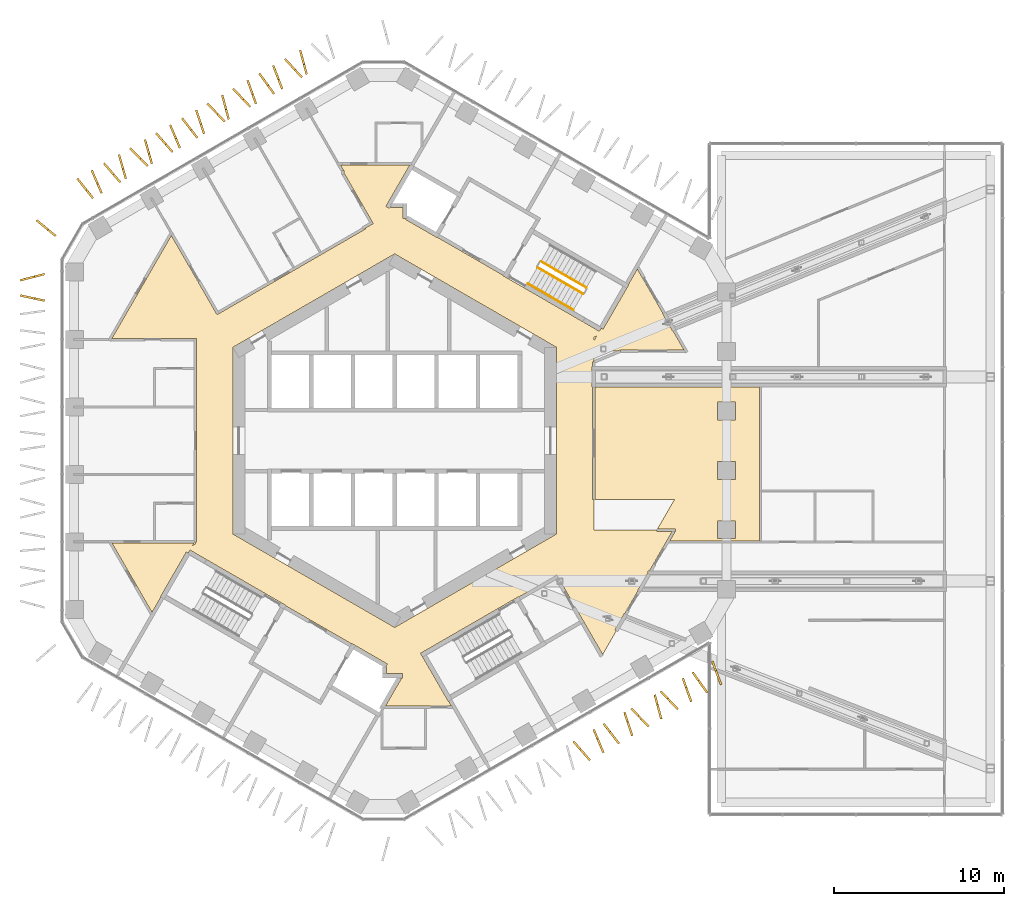
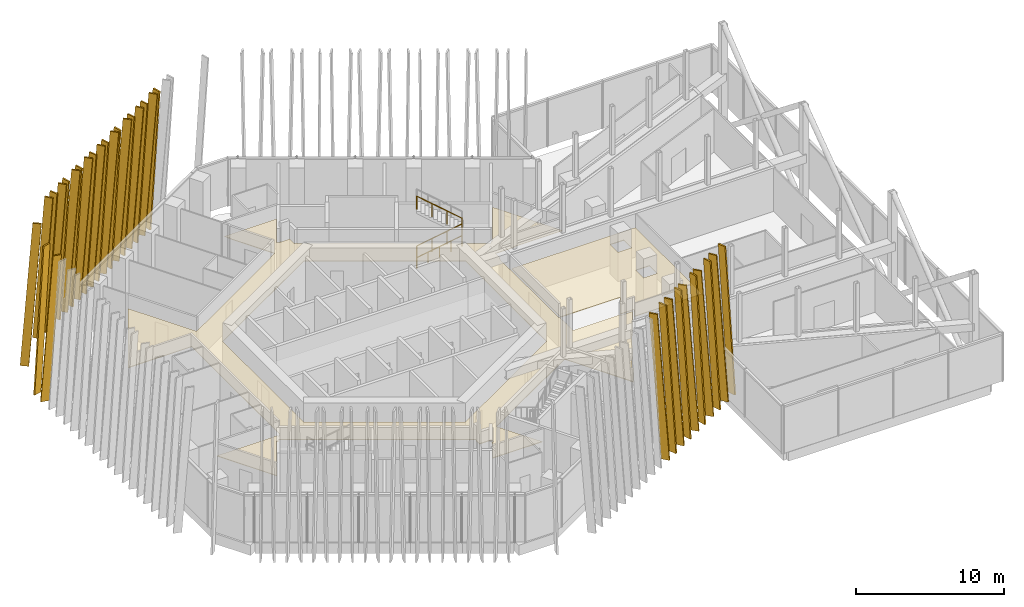
# One storey, part 27 of 28: 31 shading devices, 4 railings, 2 coverings.
"""IFC4 building model written with IfcOpenShell, lengths in metres."""

from ifc_helpers import new_model, si_unit, direction, frame, origin, origin_2d, place, context, subcontext, project, spatial, polyline, circle, outline, extrude, material, layer, layer_set, type_object, element, save


model = new_model("IFC4")

# Units and contexts
model_context = context("Model", 3, precision=1e-05, world=origin(), true_north=direction((0.0, 1.0)))
body_context = subcontext(model_context, "Body", "Model", "MODEL_VIEW")
ifc_project = project(units=[si_unit("LENGTHUNIT", "METRE"), si_unit("AREAUNIT", "SQUARE_METRE"), si_unit("VOLUMEUNIT", "CUBIC_METRE"), si_unit("PLANEANGLEUNIT", "RADIAN"), si_unit("MASSUNIT", "GRAM", prefix="KILO")], contexts=[model_context])

# Site, building, storey
site_placement = place(None, origin())
site = spatial("IfcSite", under=ifc_project, at=site_placement, CompositionType="ELEMENT")
building_placement = place(site_placement, origin())
building = spatial("IfcBuilding", under=site, at=building_placement, Name="Ayvan Gate Tower", CompositionType="ELEMENT")
storey_placement = place(building_placement, frame((0.0, 0.0, 120.5)))
storey = spatial("IfcBuildingStorey", under=building, at=storey_placement, Name="L32", CompositionType="ELEMENT", Elevation=120.5)

# Shading devices
ifc_material_1 = material(Name="Bronze anodised aluminium", Category="aluminium")
ifc_layer_1 = layer(ifc_material_1, 0.1201171875)
ifc_layer_set_1 = layer_set([ifc_layer_1], Name="Bronze anodised aluminium")
shading_device_type = type_object("IfcShadingDeviceType", Name="Bronze fin 600 x 120", PredefinedType="USERDEFINED", material=ifc_layer_set_1)
shading_device_1_placement = place(storey_placement, frame((-5.337158203125, 22.374755859375, 0.0), z_axis=(0.964726243231, 0.263255115719, 0.000140244322), x_axis=(-0.263255118308, 0.964726252719, 0.0)))
element("IfcShadingDevice", 1, at=shading_device_1_placement, inside=storey, type_object=shading_device_type, Name="Bronze fin FG11.8.96", ObjectType="FIN", PredefinedType="USERDEFINED", context=body_context, shape_type="SweptSolid", body=[
    extrude(outline(polyline([(0.0, 0.0), (0.6000224625833214, -3.3881317890172014e-21), (-0.2713395896620987, 11.879882929329561), (-0.8713620522454201, 11.879882929329561), (0.0, 0.0)])), origin(), (0.0, 0.0, -1.0), 0.1201171875),
])
shading_device_2_placement = place(storey_placement, frame((-5.996337890625, 22.023681640625, 0.0), z_axis=(0.735801214572, 0.677197578013, 0.000113877916), x_axis=(-0.677197582404, 0.735801219343, 0.0)))
element("IfcShadingDevice", 2, at=shading_device_2_placement, inside=storey, type_object=shading_device_type, Name="Bronze fin FG11.8.97", ObjectType="FIN", PredefinedType="USERDEFINED", context=body_context, shape_type="SweptSolid", body=[
    extrude(outline(polyline([(0.0, 0.0), (0.5998987748271057, 6.776263578034403e-21), (-0.2714964823047561, 11.87988288953023), (-0.8713952571318619, 11.87988288953023), (0.0, 0.0)])), origin(), (0.0, 0.0, -1.0), 0.1201171875),
])
shading_device_3_placement = place(storey_placement, frame((-6.86083984375, 21.493896484375, 0.0), z_axis=(0.933062144121, 0.359715192064, 0.000125721327), x_axis=(-0.359715194907, 0.933062151495, 0.0)))
element("IfcShadingDevice", 3, at=shading_device_3_placement, inside=storey, type_object=shading_device_type, Name="Bronze fin FG11.8.98", ObjectType="FIN", PredefinedType="USERDEFINED", context=body_context, shape_type="SweptSolid", body=[
    extrude(outline(polyline([(0.0, 0.0), (0.5999755238467986, -6.776263578034403e-21), (-0.27128402397386814, 11.879882906385838), (-0.8712595478206667, 11.879882906385838), (0.0, 0.0)])), origin(), (0.0, 0.0, -1.0), 0.1201171875),
])
shading_device_4_placement = place(storey_placement, frame((-7.54736328125, 21.113037109375, 0.0), z_axis=(0.8088944067, 0.587953932436, 0.000110192707), x_axis=(-0.587953936005, 0.808894411611, 0.0)))
element("IfcShadingDevice", 4, at=shading_device_4_placement, inside=storey, type_object=shading_device_type, Name="Bronze fin FG11.8.99", ObjectType="FIN", PredefinedType="USERDEFINED", context=body_context, shape_type="SweptSolid", body=[
    extrude(outline(polyline([(0.0, 0.0), (0.6000184394069289, 0.0), (-0.271290249936711, 11.87988288462534), (-0.8713086893436399, 11.87988288462534), (0.0, 0.0)])), origin(), (0.0, 0.0, -1.0), 0.1201171875),
])
shading_device_5_placement = place(storey_placement, frame((-8.379150390625, 20.6171875, 0.0), z_axis=(0.941386945735, 0.337328626762, 0.000126358773), x_axis=(-0.337328629454, 0.941386953251, -8.67e-09)))
element("IfcShadingDevice", 5, at=shading_device_5_placement, inside=storey, type_object=shading_device_type, Name="Bronze fin FG11.8.100", ObjectType="FIN", PredefinedType="USERDEFINED", context=body_context, shape_type="SweptSolid", body=[
    extrude(outline(polyline([(0.0, 0.0), (0.6001012801854364, -3.3881317890172014e-21), (-0.27125200517133186, 11.879882904988419), (-0.8711234545576348, 11.879882894584057), (0.0, 0.0)])), origin(), (0.0, 0.0, -1.0), 0.1201171875),
])
shading_device_6_placement = place(storey_placement, frame((-9.02978515625, 20.274658203125, 0.0), z_axis=(0.725375140047, 0.688353750398, 0.000143234384), x_axis=(-0.688353757459, 0.725375147487, 0.0)))
element("IfcShadingDevice", 6, at=shading_device_6_placement, inside=storey, type_object=shading_device_type, Name="Bronze fin FG11.8.101", ObjectType="FIN", PredefinedType="USERDEFINED", context=body_context, shape_type="SweptSolid", body=[
    extrude(outline(polyline([(0.0, 0.0), (0.6001070423804453, 0.0), (-0.27134475104515665, 11.879882934364367), (-0.8714517934256021, 11.879882934364367), (0.0, 0.0)])), origin(), (0.0, 0.0, -1.0), 0.1201171875),
])
shading_device_7_placement = place(storey_placement, frame((-9.914794921875, 19.73193359375, 0.0), z_axis=(0.965733483846, 0.259535788835, 0.000111772735), x_axis=(-0.259535790456, 0.965733489878, 0.0)))
element("IfcShadingDevice", 7, at=shading_device_7_placement, inside=storey, type_object=shading_device_type, Name="Bronze fin FG11.8.102", ObjectType="FIN", PredefinedType="USERDEFINED", context=body_context, shape_type="SweptSolid", body=[
    extrude(outline(polyline([(0.0, 0.0), (0.6001550633012301, -6.776263578034403e-21), (-0.27115390547565044, 11.879882886708545), (-0.8713089687768805, 11.879882886708545), (0.0, 0.0)])), origin(), (0.0, 0.0, -1.0), 0.1201171875),
])
shading_device_8_placement = place(storey_placement, frame((-10.537841796875, 19.406494140625, 0.0), z_axis=(0.714997622802, 0.699126873064, 0.000121438741), x_axis=(-0.699126878219, 0.714997628074, 0.0)))
element("IfcShadingDevice", 8, at=shading_device_8_placement, inside=storey, type_object=shading_device_type, Name="Bronze fin FG11.8.103", ObjectType="FIN", PredefinedType="USERDEFINED", context=body_context, shape_type="SweptSolid", body=[
    extrude(outline(polyline([(0.0, 0.0), (0.599939162428379, 0.0), (-0.27141313029652936, 11.879882900098503), (-0.8713522927249084, 11.879882900098503), (0.0, 0.0)])), origin(), (0.0, 0.0, -1.0), 0.1201171875),
])
shading_device_9_placement = place(storey_placement, frame((-11.408935546875, 18.8681640625, 0.0), z_axis=(0.95017817154, 0.311707271691, 0.00013821856), x_axis=(-0.311707274669, 0.950178180616, 0.0)))
element("IfcShadingDevice", 9, at=shading_device_9_placement, inside=storey, type_object=shading_device_type, Name="Bronze fin FG11.8.104", ObjectType="FIN", PredefinedType="USERDEFINED", context=body_context, shape_type="SweptSolid", body=[
    extrude(outline(polyline([(0.0, 0.0), (0.5999594297203215, 0.0), (-0.2713059053903853, 11.879882925978842), (-0.8712653351107067, 11.879882925978842), (0.0, 0.0)])), origin(), (0.0, 0.0, -1.0), 0.1201171875),
])
shading_device_10_placement = place(storey_placement, frame((-12.072509765625, 18.50439453125, 0.0), z_axis=(0.78872724338, 0.614743292634, 0.000140398064), x_axis=(-0.614743298691, 0.788727251155, -2.2536e-08)))
element("IfcShadingDevice", 10, at=shading_device_10_placement, inside=storey, type_object=shading_device_type, Name="Bronze fin FG11.8.105", ObjectType="FIN", PredefinedType="USERDEFINED", context=body_context, shape_type="SweptSolid", body=[
    extrude(outline(polyline([(0.0, 0.0), (0.5998085433988725, -6.776263578034403e-21), (-0.271402773780118, 11.879882923469395), (-0.8713614009921474, 11.879882896430912), (0.0, 0.0)])), origin(), (0.0, 0.0, -1.0), 0.1201171875),
])
shading_device_11_placement = place(storey_placement, frame((-12.8955078125, 18.01025390625, 0.0), z_axis=(0.920944787147, 0.389693068059, 0.000108323589), x_axis=(-0.389693070346, 0.92094479255, 0.0)))
element("IfcShadingDevice", 11, at=shading_device_11_placement, inside=storey, type_object=shading_device_type, Name="Bronze fin FG11.8.106", ObjectType="FIN", PredefinedType="USERDEFINED", context=body_context, shape_type="SweptSolid", body=[
    extrude(outline(polyline([(0.0, 0.0), (0.6001818778622713, 3.3881317890172014e-21), (-0.2711809195487, 11.879882882199274), (-0.8713627974109712, 11.879882882199274), (0.0, 0.0)])), origin(), (0.0, 0.0, -1.0), 0.1201171875),
])
shading_device_12_placement = place(storey_placement, frame((-13.571044921875, 17.646484375, 0.0), z_axis=(0.752904159493, 0.658130162107, 0.000127844562), x_axis=(-0.658130167485, 0.752904165646, 0.0)))
element("IfcShadingDevice", 12, at=shading_device_12_placement, inside=storey, type_object=shading_device_type, Name="Bronze fin FG11.8.107", ObjectType="FIN", PredefinedType="USERDEFINED", context=body_context, shape_type="SweptSolid", body=[
    extrude(outline(polyline([(0.0, 0.0), (0.6002148978516426, 0.0), (-0.27105517596099377, 11.879882909583781), (-0.8712700738126364, 11.879882909583781), (0.0, 0.0)])), origin(), (0.0, 0.0, -1.0), 0.1201171875),
])
shading_device_13_placement = place(storey_placement, frame((-14.442626953125, 17.117431640625, 0.0), z_axis=(0.961239320424, 0.275715342755, 0.000136531455), x_axis=(-0.275715345321, 0.961239329384, -2.6706e-08)))
element("IfcShadingDevice", 13, at=shading_device_13_placement, inside=storey, type_object=shading_device_type, Name="Bronze fin FG11.8.108", ObjectType="FIN", PredefinedType="USERDEFINED", context=body_context, shape_type="SweptSolid", body=[
    extrude(outline(polyline([(0.0, 0.0), (0.5998795373015687, -3.3881317890172014e-21), (-0.27129931287971604, 11.87988291598015), (-0.8712461634980135, 11.879882883937483), (0.0, 0.0)])), origin(), (0.0, 0.0, -1.0), 0.1201171875),
])
shading_device_14_placement = place(storey_placement, frame((-15.068603515625, 16.79248046875, 0.0), z_axis=(0.706903259797, 0.707310227707, 0.000151889524), x_axis=(-0.707310235866, 0.706903267951, 0.0)))
element("IfcShadingDevice", 14, at=shading_device_14_placement, inside=storey, type_object=shading_device_type, Name="Bronze fin FG11.8.109", ObjectType="FIN", PredefinedType="USERDEFINED", context=body_context, shape_type="SweptSolid", body=[
    extrude(outline(polyline([(0.0, 0.0), (0.5999014078040121, 6.776263578034403e-21), (-0.2713793406152939, 11.87988294953699), (-0.8712807484193061, 11.87988294953699), (0.0, 0.0)])), origin(), (0.0, 0.0, -1.0), 0.1201171875),
])
shading_device_15_placement = place(storey_placement, frame((-15.967529296875, 16.237060546875, 0.0), z_axis=(0.960721408774, 0.277514612784, 0.000120058545), x_axis=(-0.277514614784, 0.960721415698, 0.0)))
element("IfcShadingDevice", 15, at=shading_device_15_placement, inside=storey, type_object=shading_device_type, Name="Bronze fin FG11.8.110", ObjectType="FIN", PredefinedType="USERDEFINED", context=body_context, shape_type="SweptSolid", body=[
    extrude(outline(polyline([(0.0, 0.0), (0.5999824779654062, 0.0), (-0.271498740985522, 11.87988289811864), (-0.8714812189509281, 11.87988289811864), (0.0, 0.0)])), origin(), (0.0, 0.0, -1.0), 0.1201171875),
])
shading_device_16_placement = place(storey_placement, frame((-16.637451171875, 15.875244140625, 0.0), z_axis=(0.756694920035, 0.653768137901, 0.000140917369), x_axis=(-0.653768144393, 0.756694927548, 0.0)))
element("IfcShadingDevice", 16, at=shading_device_16_placement, inside=storey, type_object=shading_device_type, Name="Bronze fin FG11.8.111", ObjectType="FIN", PredefinedType="USERDEFINED", context=body_context, shape_type="SweptSolid", body=[
    extrude(outline(polyline([(0.0, 0.0), (0.6001118098825453, -6.776263578034403e-21), (-0.27118506979625256, 11.879882930453608), (-0.8712968796787979, 11.879882930453608), (0.0, 0.0)])), origin(), (0.0, 0.0, -1.0), 0.1201171875),
])
shading_device_17_placement = place(storey_placement, frame((-17.497314453125, 15.353515625, 0.0), z_axis=(0.916739888634, 0.399484610889, 0.000149166798), x_axis=(-0.399484615332, 0.916739898834, -1.2119e-08)))
element("IfcShadingDevice", 17, at=shading_device_17_placement, inside=storey, type_object=shading_device_type, Name="Bronze fin FG11.8.112", ObjectType="FIN", PredefinedType="USERDEFINED", context=body_context, shape_type="SweptSolid", body=[
    extrude(outline(polyline([(0.0, 0.0), (0.6002503965396662, -6.776263578034403e-21), (-0.2711344734610541, 11.87988294138231), (-0.8711610565488567, 11.879882926836721), (0.0, 0.0)])), origin(), (0.0, 0.0, -1.0), 0.1201171875),
])
shading_device_18_placement = place(storey_placement, frame((-18.214111328125, 14.9599609375, 0.0), z_axis=(0.781067206487, 0.624446959353, 0.000117920188), x_axis=(-0.624446963695, 0.781067211918, 0.0)))
element("IfcShadingDevice", 18, at=shading_device_18_placement, inside=storey, type_object=shading_device_type, Name="Bronze fin FG11.8.113", ObjectType="FIN", PredefinedType="USERDEFINED", context=body_context, shape_type="SweptSolid", body=[
    extrude(outline(polyline([(0.0, 0.0), (0.6001404140998128, 0.0), (-0.2711312254799152, 11.879882895095902), (-0.871271639579728, 11.879882895095902), (0.0, 0.0)])), origin(), (0.0, 0.0, -1.0), 0.1201171875),
])
shading_device_19_placement = place(storey_placement, frame((-20.536865234375, 12.615966796875, 0.0), z_axis=(0.634765449026, 0.77270486391, 0.000134212082), x_axis=(-0.772704870869, 0.634765454743, 0.0)))
element("IfcShadingDevice", 19, at=shading_device_19_placement, inside=storey, type_object=shading_device_type, Name="Bronze fin FG11.9.114", ObjectType="FIN", PredefinedType="USERDEFINED", context=body_context, shape_type="SweptSolid", body=[
    extrude(outline(polyline([(0.0, 0.0), (0.6000001609325193, 0.0), (-0.2711360919408649, 11.879882919495472), (-0.8711362528733843, 11.879882919495472), (0.0, 0.0)])), origin(), (0.0, 0.0, -1.0), 0.1201171875),
])
shading_device_20_placement = place(storey_placement, frame((-21.4228515625, 9.624267578125, 0.0), z_axis=(-0.249853402259, 0.968283665594, 0.000142562562), x_axis=(-0.968283675433, -0.249853404799, 7.249e-09)))
element("IfcShadingDevice", 20, at=shading_device_20_placement, inside=storey, type_object=shading_device_type, Name="Bronze fin FG11.10.115", ObjectType="FIN", PredefinedType="USERDEFINED", context=body_context, shape_type="SweptSolid", body=[
    extrude(outline(polyline([(0.0, 0.0), (0.5998429820317556, -3.3881317890172014e-21), (-0.2713671196516629, 11.879882935190942), (-0.8714464990651161, 11.879882943888882), (0.0, 0.0)])), origin(), (0.0, 0.0, -1.0), 0.1201171875),
])
shading_device_21_placement = place(storey_placement, frame((-21.39208984375, 8.461669921875, 0.0), z_axis=(0.207722490637, 0.978187791364, 0.000108214014), x_axis=(-0.978187797091, 0.207722491855, -2.1535e-08)))
element("IfcShadingDevice", 21, at=shading_device_21_placement, inside=storey, type_object=shading_device_type, Name="Bronze fin FG11.10.116", ObjectType="FIN", PredefinedType="USERDEFINED", context=body_context, shape_type="SweptSolid", body=[
    extrude(outline(polyline([(0.0, 0.0), (0.6000267718614332, 0.0), (-0.27132214443660135, 11.879882876215412), (-0.8712982027990464, 11.879882850373333), (0.0, 0.0)])), origin(), (0.0, 0.0, -1.0), 0.1201171875),
])
shading_device_22_placement = place(storey_placement, frame((11.02880859375, -18.361083984375, 0.0), z_axis=(-0.750455102879, -0.660921413815, 0.000152718787), x_axis=(0.660921421523, -0.750455111631, 0.0)))
element("IfcShadingDevice", 22, at=shading_device_22_placement, inside=storey, type_object=shading_device_type, Name="Bronze fin FG11.14.167", ObjectType="FIN", PredefinedType="USERDEFINED", context=body_context, shape_type="SweptSolid", body=[
    extrude(outline(polyline([(0.0, 0.0), (0.5998963902342749, 0.0), (-0.27134852415724486, 11.879882951037422), (-0.8712449143915196, 11.879882951037422), (0.0, 0.0)])), origin(), (0.0, 0.0, -1.0), 0.1201171875),
])
shading_device_23_placement = place(storey_placement, frame((11.969482421875, -17.791015625, 0.0), z_axis=(-0.922437611932, -0.386146137505, 0.00011217706), x_axis=(0.386146139934, -0.922437617736, 0.0)))
element("IfcShadingDevice", 23, at=shading_device_23_placement, inside=storey, type_object=shading_device_type, Name="Bronze fin FG11.14.168", ObjectType="FIN", PredefinedType="USERDEFINED", context=body_context, shape_type="SweptSolid", body=[
    extrude(outline(polyline([(0.0, 0.0), (0.6000045815928692, 3.3881317890172014e-21), (-0.27125717694010404, 11.879882887246398), (-0.8712617585329732, 11.879882887246398), (0.0, 0.0)])), origin(), (0.0, 0.0, -1.0), 0.1201171875),
])
shading_device_24_placement = place(storey_placement, frame((12.76025390625, -17.35302734375, 0.0), z_axis=(-0.790926955135, -0.611910566112, 0.000103544958), x_axis=(0.611910569393, -0.790926959375, 0.0)))
element("IfcShadingDevice", 24, at=shading_device_24_placement, inside=storey, type_object=shading_device_type, Name="Bronze fin FG11.14.169", ObjectType="FIN", PredefinedType="USERDEFINED", context=body_context, shape_type="SweptSolid", body=[
    extrude(outline(polyline([(0.0, 0.0), (0.6000672620582969, 6.776263578034403e-21), (-0.2713010554389247, 11.879882876185428), (-0.8713683174972215, 11.879882876185428), (0.0, 0.0)])), origin(), (0.0, 0.0, -1.0), 0.1201171875),
])
shading_device_25_placement = place(storey_placement, frame((13.70947265625, -16.7861328125, 0.0), z_axis=(-0.949594735819, -0.31348018164, 0.000115856096), x_axis=(0.313480183747, -0.949594742192, 2.2379e-08)))
element("IfcShadingDevice", 25, at=shading_device_25_placement, inside=storey, type_object=shading_device_type, Name="Bronze fin FG11.14.170", ObjectType="FIN", PredefinedType="USERDEFINED", context=body_context, shape_type="SweptSolid", body=[
    extrude(outline(polyline([(0.0, 0.0), (0.6001092162949585, 0.0), (-0.2712998673264073, 11.879882898301036), (-0.8713325503733808, 11.87988292515878), (0.0, 0.0)])), origin(), (0.0, 0.0, -1.0), 0.1201171875),
])
shading_device_26_placement = place(storey_placement, frame((14.452880859375, -16.39208984375, 0.0), z_axis=(-0.715399824779, -0.698715300993, 0.00013735257), x_axis=(0.698715307583, -0.715399831527, 0.0)))
element("IfcShadingDevice", 26, at=shading_device_26_placement, inside=storey, type_object=shading_device_type, Name="Bronze fin FG11.14.171", ObjectType="FIN", PredefinedType="USERDEFINED", context=body_context, shape_type="SweptSolid", body=[
    extrude(outline(polyline([(0.0, 0.0), (0.599943136461154, -6.776263578034403e-21), (-0.2714179889345359, 11.879882924561324), (-0.87136112539569, 11.879882924561324), (0.0, 0.0)])), origin(), (0.0, 0.0, -1.0), 0.1201171875),
])
shading_device_27_placement = place(storey_placement, frame((15.444091796875, -15.785888671875, 0.0), z_axis=(-0.96578444853, -0.259346076638, 0.000107289095), x_axis=(0.259346078128, -0.965784454089, -2.1078e-08)))
element("IfcShadingDevice", 27, at=shading_device_27_placement, inside=storey, type_object=shading_device_type, Name="Bronze fin FG11.14.172", ObjectType="FIN", PredefinedType="USERDEFINED", context=body_context, shape_type="SweptSolid", body=[
    extrude(outline(polyline([(0.0, 0.0), (0.6000917348081973, 0.0), (-0.271154411487856, 11.879882875158994), (-0.8713094632096589, 11.879882849860262), (0.0, 0.0)])), origin(), (0.0, 0.0, -1.0), 0.1201171875),
])
shading_device_28_placement = place(storey_placement, frame((16.180908203125, -15.39208984375, 0.0), z_axis=(-0.725375141444, -0.688353751723, 0.000129088192), x_axis=(0.688353757459, -0.725375147487, 0.0)))
element("IfcShadingDevice", 28, at=shading_device_28_placement, inside=storey, type_object=shading_device_type, Name="Bronze fin FG11.14.173", ObjectType="FIN", PredefinedType="USERDEFINED", context=body_context, shape_type="SweptSolid", body=[
    extrude(outline(polyline([(0.0, 0.0), (0.6001070423804453, 0.0), (-0.2711676575032896, 11.879882911481765), (-0.8712746998837351, 11.879882911481765), (0.0, 0.0)])), origin(), (0.0, 0.0, -1.0), 0.1201171875),
])
shading_device_29_placement = place(storey_placement, frame((17.159423828125, -14.794189453125, 0.0), z_axis=(-0.940799184629, -0.338964412109, 0.000146711993), x_axis=(0.338964415757, -0.940799194754, 0.0)))
element("IfcShadingDevice", 29, at=shading_device_29_placement, inside=storey, type_object=shading_device_type, Name="Bronze fin FG11.14.174", ObjectType="FIN", PredefinedType="USERDEFINED", context=body_context, shape_type="SweptSolid", body=[
    extrude(outline(polyline([(0.0, 0.0), (0.5999719474115575, 0.0), (-0.2713316381671616, 11.879882940353728), (-0.871303585578719, 11.879882940353728), (0.0, 0.0)])), origin(), (0.0, 0.0, -1.0), 0.1201171875),
])
shading_device_30_placement = place(storey_placement, frame((17.958984375, -14.34765625, 0.0), z_axis=(-0.811210038791, -0.584754866186, 0.000139414076), x_axis=(0.584754871871, -0.811210046673, 1.659e-08)))
element("IfcShadingDevice", 30, at=shading_device_30_placement, inside=storey, type_object=shading_device_type, Name="Bronze fin FG11.14.175", ObjectType="FIN", PredefinedType="USERDEFINED", context=body_context, shape_type="SweptSolid", body=[
    extrude(outline(polyline([(0.0, 0.0), (0.5998619076898968, 0.0), (-0.27117344298530943, 11.879882932449089), (-0.8712334000030072, 11.879882952355464), (0.0, 0.0)])), origin(), (0.0, 0.0, -1.0), 0.1201171875),
])
shading_device_31_placement = place(storey_placement, frame((18.903076171875, -13.787353515625, 0.0), z_axis=(-0.935018453043, -0.354599034738, 0.000130506276), x_axis=(0.35459903776, -0.935018461005, 2.4823e-08)))
element("IfcShadingDevice", 31, at=shading_device_31_placement, inside=storey, type_object=shading_device_type, Name="Bronze fin FG11.14.176", ObjectType="FIN", PredefinedType="USERDEFINED", context=body_context, shape_type="SweptSolid", body=[
    extrude(outline(polyline([(0.0, 0.0), (0.6000690391395567, 0.0), (-0.2712249601202483, 11.879882920401135), (-0.8712074272291016, 11.879882950190437), (0.0, 0.0)])), origin(), (0.0, 0.0, -1.0), 0.1201171875),
])

# Coverings
ifc_material_2 = material(Name="Plasterboard suspended ceiling")
ifc_layer_2 = layer(ifc_material_2, 0.050048828125)
ifc_layer_set_2 = layer_set([ifc_layer_2], Name="Plasterboard suspended ceiling")
covering_type = type_object("IfcCoveringType", Name="CT-SUSP-50", PredefinedType="CEILING", material=ifc_layer_set_2)
covering_1_placement = place(storey_placement, frame((0.0, 0.0, 2.39990234375)))
element("IfcCovering", 32, at=covering_1_placement, inside=storey, type_object=covering_type, Name="Ceiling Ring Corridor L32", PredefinedType="CEILING", context=body_context, shape_type="SweptSolid", body=[
    extrude(outline(polyline([(-14.251220703125, -10.083984375), (-16.602294921875, -6.011962890625), (-11.784912109375, -6.011962890625), (-11.870849609375, -6.160888671875), (-11.699951171875, -6.062255859375), (-11.699951171875, -5.93701171875), (-11.625, -5.93701171875), (-11.625, 6.011962890625), (-16.602294921875, 6.011962890625), (-13.115966796875, 12.050537109375), (-10.431396484375, 7.40087890625), (-10.301513671875, 7.475830078125), (-1.71630859375, 12.4326171875), (-1.7412109375, 12.475830078125), (-1.261962890625, 12.75244140625), (-1.326904296875, 12.865234375), (-2.947509765625, 15.67236328125), (-2.97509765625, 15.656494140625), (-2.97509765625, 15.874755859375), (-3.0703125, 15.874755859375), (-3.022705078125, 15.902099609375), (-3.185302734375, 16.18408203125), (-3.050048828125, 16.18408203125), (-3.050048828125, 16.18505859375), (0.88623046875, 16.18505859375), (-0.511474609375, 13.76416015625), (-0.294921875, 13.63916015625), (-0.215576171875, 13.776611328125), (-0.215576171875, 13.68505859375), (0.47509765625, 13.68505859375), (0.47509765625, 13.03857421875), (0.672119140625, 13.03857421875), (0.645751953125, 12.992919921875), (2.518310546875, 11.91162109375), (2.53076171875, 11.933349609375), (6.384521484375, 9.70849609375), (6.3720703125, 9.686767578125), (6.588623046875, 9.561767578125), (11.03759765625, 6.9931640625), (12.02294921875, 6.42431640625), (12.130126953125, 6.60986328125), (12.23828125, 6.54736328125), (13.631103515625, 8.959716796875), (13.756103515625, 9.176513671875), (13.734619140625, 9.188720703125), (14.251220703125, 10.083984375), (15.761962890625, 7.46728515625), (15.740478515625, 7.454833984375), (16.344970703125, 6.40771484375), (16.36669921875, 6.420166015625), (16.993896484375, 5.33349609375), (13.260009765625, 5.33349609375), (13.260009765625, 5.2060546875), (13.260009765625, 5.2060546875), (13.212890625, 5.320068359375), (13.0634765625, 5.258544921875), (11.699951171875, 5.258544921875), (11.699951171875, 4.69677734375), (11.68994140625, 4.692626953125), (11.699951171875, 4.668212890625), (11.699951171875, 4.61572265625), (11.625, 4.61572265625), (11.625, 4.35009765625), (11.60009765625, 4.35009765625), (11.60009765625, 3.14990234375), (11.625, 3.14990234375), (11.625, -3.45849609375), (11.699951171875, -3.45849609375), (11.699951171875, -5.258544921875), (15.391845703125, -5.258544921875), (15.391845703125, -5.33349609375), (16.30126953125, -5.33349609375), (14.9638671875, -7.64990234375), (14.892578125, -7.64990234375), (14.892578125, -7.8076171875), (14.856201171875, -7.78662109375), (14.278564453125, -8.78662109375), (14.30029296875, -8.79931640625), (13.510009765625, -10.16796875), (13.48828125, -10.155517578125), (12.9326171875, -11.1181640625), (13.019287109375, -11.168212890625), (12.21630859375, -12.55908203125), (11.123779296875, -10.667236328125), (9.623779296875, -8.069091796875), (9.52392578125, -7.89599609375), (7.2939453125, -9.183349609375), (7.281494140625, -9.16162109375), (1.522216796875, -12.48681640625), (1.647216796875, -12.703369140625), (3.147216796875, -15.30126953125), (3.1689453125, -15.288818359375), (3.33935546875, -15.583984375), (-0.539306640625, -15.583984375), (0.386474609375, -13.980712890625), (0.30712890625, -13.93505859375), (0.465576171875, -13.93505859375), (0.465576171875, -13.68505859375), (-0.47509765625, -13.68505859375), (-0.47509765625, -13.28857421875), (-0.52783203125, -13.28857421875), (-0.42919921875, -13.117919921875), (-2.284423828125, -12.046630859375), (-2.518310546875, -11.91162109375), (-2.53076171875, -11.933349609375), (-6.384521484375, -9.70849609375), (-6.3720703125, -9.686767578125), (-11.03759765625, -6.9931640625), (-12.02294921875, -6.42431640625), (-12.130126953125, -6.60986328125), (-12.23828125, -6.54736328125), (-13.756103515625, -9.17626953125), (-13.734619140625, -9.188720703125), (-14.251220703125, -10.083984375)]), holes=[polyline([(11.699951171875, 5.864990234375), (11.870849609375, 6.160888671875), (11.699951171875, 6.062255859375), (11.699951171875, 5.864990234375)]), polyline([(-8.771728515625, -5.9052734375), (0.0, -10.9697265625), (8.38720703125, -6.127197265625), (8.771728515625, -5.9052734375), (9.5, -5.48486328125), (9.5, 5.48486328125), (8.771728515625, 5.9052734375), (0.0, 10.9697265625), (-8.771728515625, 5.9052734375), (-9.5, 5.48486328125), (-9.5, -5.48486328125), (-8.771728515625, -5.9052734375)])]), origin(), (0.0, 0.0, 1.0), 0.050048828125),
])
covering_2_placement = place(storey_placement, frame((0.0, 0.0, 2.39990234375)))
element("IfcCovering", 33, at=covering_2_placement, inside=storey, type_object=covering_type, Name="Ceiling Social Lounge L32", PredefinedType="CEILING", context=body_context, shape_type="SweptSolid", body=[
    extrude(outline(polyline([(11.77490234375, 3.14990234375), (11.800048828125, 3.14990234375), (11.800048828125, 3.14990234375), (21.436279296875, 3.14990234375), (21.436279296875, -5.89990234375), (16.147216796875, -5.89990234375), (16.45849609375, -5.36083984375), (16.4111328125, -5.33349609375), (16.506103515625, -5.33349609375), (16.506103515625, -5.18359375), (15.435302734375, -5.18359375), (16.43115234375, -3.45849609375), (11.77490234375, -3.45849609375), (11.77490234375, 3.14990234375)]), holes=[polyline([(18.960693359375, -5.75927734375), (20.010498046875, -5.75927734375), (20.010498046875, -4.709228515625), (18.960693359375, -4.709228515625), (18.960693359375, -5.75927734375)]), polyline([(18.960693359375, -2.269775390625), (20.010498046875, -2.269775390625), (20.010498046875, -1.2197265625), (18.960693359375, -1.2197265625), (18.960693359375, -2.269775390625)]), polyline([(20.010498046875, 1.2197265625), (20.010498046875, 2.269775390625), (18.960693359375, 2.269775390625), (18.960693359375, 1.2197265625), (20.010498046875, 1.2197265625)])]), origin(), (0.0, 0.0, 1.0), 0.050048828125),
])

# Railings
ifc_material_3 = material(Name="Stainless steel balustrade", Category="steel")
railing_type_1 = type_object("IfcRailingType", Name="RL-GUARD-1100", PredefinedType="GUARDRAIL", material=ifc_material_3)
railing_1_placement = place(storey_placement, frame((8.381103515625, 10.16650390625, 0.166748046875)))
element("IfcRailing", 34, at=railing_1_placement, inside=storey, type_object=railing_type_1, Name="L32 STS1 stair guard 1", PredefinedType="GUARDRAIL", context=body_context, shape_type="SweptSolid", body=[
    extrude(circle(Radius=0.02392578125, at=origin_2d()), frame((0.0, 0.0, 1.076171875), z_axis=(0.744189839504, -0.429649414936, 0.511451721109), x_axis=(0.499992328818, 0.866029832698, 0.0)), (0.0, 0.0, 1.0), 3.58447265625),
    extrude(circle(Radius=0.02099609375, at=origin_2d()), origin(), (0.0, 0.0, 1.0), 1.052001953125),
    extrude(circle(Radius=0.02099609375, at=origin_2d()), frame((0.88916015625, -0.513427734375, 0.611083984375)), (0.0, 0.0, 1.0), 1.052001953125),
    extrude(circle(Radius=0.02099609375, at=origin_2d()), frame((1.7783203125, -1.026611328125, 1.22216796875)), (0.0, 0.0, 1.0), 1.052001953125),
    extrude(circle(Radius=0.02099609375, at=origin_2d()), frame((2.66748046875, -1.5400390625, 1.833251953125)), (0.0, 0.0, 1.0), 1.052001953125),
])
railing_2_placement = place(storey_placement, frame((11.25341796875, 8.981689453125, 2.166748046875)))
element("IfcRailing", 35, at=railing_2_placement, inside=storey, type_object=railing_type_1, Name="L32 STS1 stair guard 3", PredefinedType="GUARDRAIL", context=body_context, shape_type="SweptSolid", body=[
    extrude(circle(Radius=0.02392578125, at=origin_2d()), frame((0.0, 0.0, 1.076171875), z_axis=(-0.74418122563, 0.429615651263, 0.511492615401), x_axis=(-0.499967199496, -0.866044340336, 0.0)), (0.0, 0.0, 1.0), 3.584228515625),
    extrude(circle(Radius=0.02099609375, at=origin_2d()), origin(), (0.0, 0.0, 1.0), 1.052001953125),
    extrude(circle(Radius=0.02099609375, at=origin_2d()), frame((-0.88916015625, 0.51318359375, 0.611083984375)), (0.0, 0.0, 1.0), 1.052001953125),
    extrude(circle(Radius=0.02099609375, at=origin_2d()), frame((-1.778076171875, 1.026611328125, 1.22216796875)), (0.0, 0.0, 1.0), 1.052001953125),
    extrude(circle(Radius=0.02099609375, at=origin_2d()), frame((-2.667236328125, 1.539794921875, 1.833251953125)), (0.0, 0.0, 1.0), 1.052001953125),
])
railing_type_2 = type_object("IfcRailingType", Name="RL-HANDRAIL-900", PredefinedType="HANDRAIL", material=ifc_material_3)
railing_3_placement = place(storey_placement, frame((7.8310546875, 9.2138671875, 0.166748046875)))
element("IfcRailing", 36, at=railing_3_placement, inside=storey, type_object=railing_type_2, Name="L32 STS1 stair handrail 1", PredefinedType="HANDRAIL", context=body_context, shape_type="SweptSolid", body=[
    extrude(circle(Radius=0.02392578125, at=origin_2d()), frame((0.0, 0.0, 0.8759765625), z_axis=(0.744215763664, -0.42966438195, 0.511401423539), x_axis=(0.499992328818, 0.866029832698, 0.0)), (0.0, 0.0, 1.0), 1.792236328125),
    extrude(circle(Radius=0.02099609375, at=origin_2d()), origin(), (0.0, 0.0, 1.0), 0.851806640625),
    extrude(circle(Radius=0.02099609375, at=origin_2d()), frame((0.6669921875, -0.385009765625, 0.458251953125)), (0.0, 0.0, 1.0), 0.851806640625),
    extrude(circle(Radius=0.02099609375, at=origin_2d()), frame((1.333740234375, -0.77001953125, 0.91650390625)), (0.0, 0.0, 1.0), 0.851806640625),
])
railing_4_placement = place(storey_placement, frame((9.164794921875, 8.44384765625, 1.083251953125)))
element("IfcRailing", 37, at=railing_4_placement, inside=storey, type_object=railing_type_2, Name="L32 STS1 stair handrail 2", PredefinedType="HANDRAIL", context=body_context, shape_type="SweptSolid", body=[
    extrude(circle(Radius=0.02392578125, at=origin_2d()), frame((0.0, 0.0, 0.8759765625), z_axis=(0.7441639146, -0.429634447492, 0.511502013422), x_axis=(0.499992328818, 0.866029832698, 0.0)), (0.0, 0.0, 1.0), 1.792236328125),
    extrude(circle(Radius=0.02099609375, at=origin_2d()), origin(), (0.0, 0.0, 1.0), 0.851806640625),
    extrude(circle(Radius=0.02099609375, at=origin_2d()), frame((0.6669921875, -0.385009765625, 0.45849609375)), (0.0, 0.0, 1.0), 0.851806640625),
    extrude(circle(Radius=0.02099609375, at=origin_2d()), frame((1.333740234375, -0.77001953125, 0.916748046875)), (0.0, 0.0, 1.0), 0.851806640625),
])

save(model, "model.ifc")
